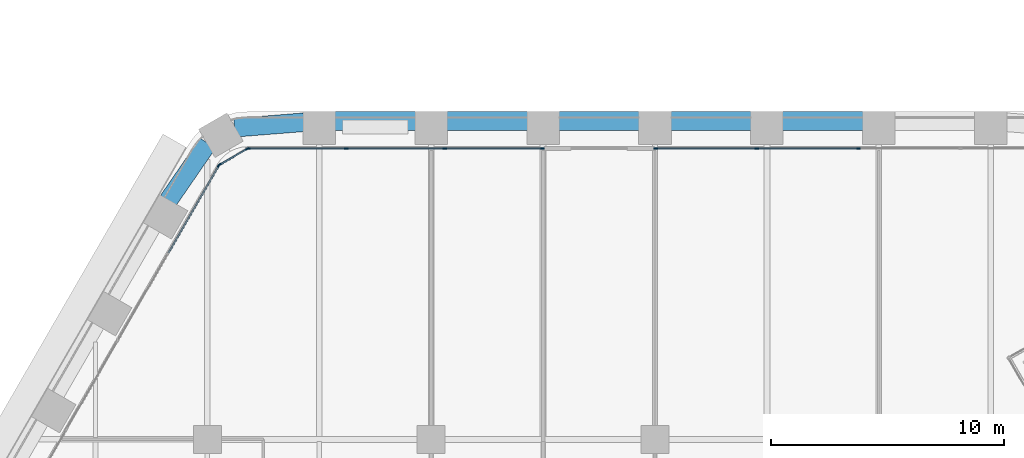
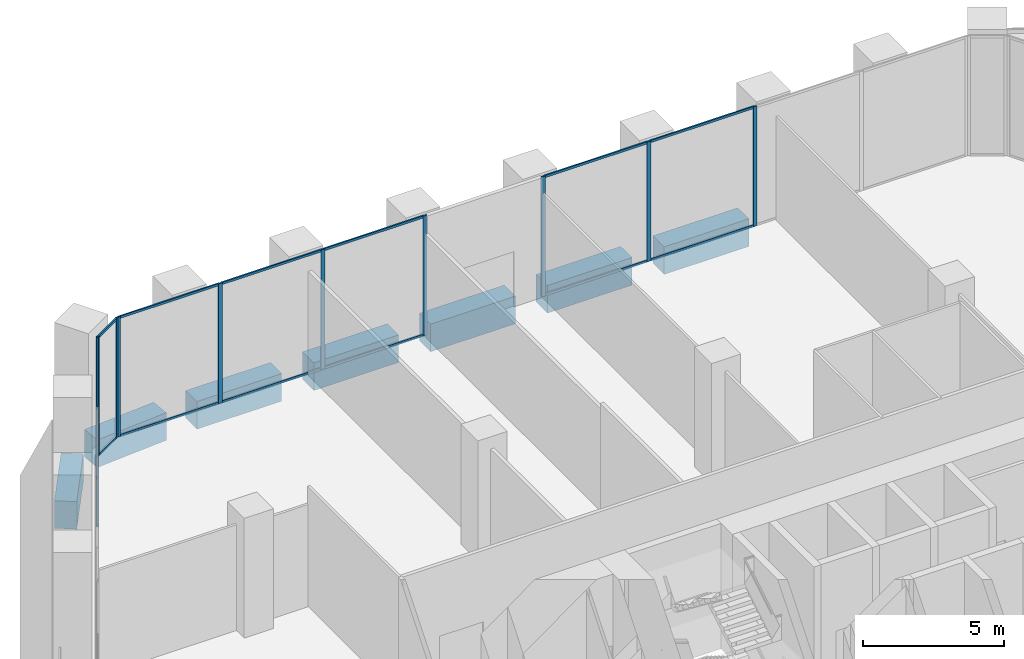
# One storey, part 15 of 32: 24 members, 7 beams, 4 elements without a shape of their own.
"""IFC4 building model written with IfcOpenShell, lengths in metres."""

from ifc_helpers import new_model, si_unit, direction, frame, origin, origin_2d, place, context, subcontext, project, spatial, rectangle, extrude, material, material_profile, profile_set, type_object, element, aggregate, save


model = new_model("IFC4")

# Units and contexts
model_context = context("Model", 3, precision=1e-05, world=origin(), true_north=direction((0.0, 1.0)))
body_context = subcontext(model_context, "Body", "Model", "MODEL_VIEW")
ifc_project = project(units=[si_unit("LENGTHUNIT", "METRE"), si_unit("AREAUNIT", "SQUARE_METRE"), si_unit("VOLUMEUNIT", "CUBIC_METRE"), si_unit("PLANEANGLEUNIT", "RADIAN"), si_unit("MASSUNIT", "GRAM", prefix="KILO")], contexts=[model_context])

# Site, building, storey
site_placement = place(None, origin())
site = spatial("IfcSite", under=ifc_project, at=site_placement, CompositionType="ELEMENT")
building_placement = place(site_placement, origin())
building = spatial("IfcBuilding", under=site, at=building_placement, Name="Kolab Exchange Tower", CompositionType="ELEMENT")
storey_placement = place(building_placement, frame((0.0, 0.0, 60.89990234375)))
storey = spatial("IfcBuildingStorey", under=building, at=storey_placement, Name="L11", CompositionType="ELEMENT", Elevation=60.89990234375)

# Beams
ifc_material_1 = material(Name="Concrete C80/95", Category="concrete")
ifc_material_profile_1 = material_profile(ifc_material_1, rectangle(XDim=0.800048828125, YDim=1.199951171875, at=origin_2d()), Name="RC800X1200")
ifc_profile_set_1 = profile_set([ifc_material_profile_1], Name="Concrete C80/95")
beam_type = type_object("IfcBeamType", Name="SPANDREL BEAM 800X1200 C80/95", PredefinedType="BEAM", material=ifc_profile_set_1)
beam_1_placement = place(storey_placement, frame((-18.03515625, 32.5654296875, -0.849853515625), z_axis=(0.996833978278, 0.07951112973, 0.0), x_axis=(-0.07951112973, 0.996833978278, 0.0)))
element("IfcBeam", 1, at=beam_1_placement, inside=storey, type_object=beam_type, Name="beam/L11/sp/F1-01", PredefinedType="BEAM", context=body_context, shape_type="SweptSolid", body=[
    extrude(rectangle(XDim=0.800048828125, YDim=1.199951171875, at=origin_2d()), origin(), (0.0, 0.0, 1.0), 2.984619140625),
])
for number, where, z_axis, x_axis, name in (
    (2, (-13.739990234375, 32.85546875, -0.849853515625), (1.0, 0.0, 0.0), (0.0, 1.0, 0.0), "beam/L11/sp/F1-02"),
    (3, (-8.93994140625, 32.85546875, -0.849853515625), (1.0, 0.0, 0.0), (0.0, 1.0, 0.0), "beam/L11/sp/F1-03"),
    (4, (-4.139892578125, 32.85546875, -0.849853515625), (1.0, 0.0, 0.0), (0.0, 1.0, 0.0), "beam/L11/sp/F1-04"),
    (5, (0.659912109375, 32.85546875, -0.849853515625), (1.0, 0.0, 0.0), (0.0, 1.0, 0.0), "beam/L11/sp/F1-05"),
    (6, (5.4599609375, 32.85546875, -0.849853515625), (1.0, 0.0, 0.0), (0.0, 1.0, 0.0), "beam/L11/sp/F1-06"),
):
    element("IfcBeam", number, at=place(storey_placement, frame(where, z_axis=z_axis, x_axis=x_axis)), inside=storey, type_object=beam_type, Name=name, PredefinedType="BEAM", context=body_context, shape_type="SweptSolid", body=[
        extrude(rectangle(XDim=0.800048828125, YDim=1.199951171875, at=origin_2d()), origin(), (0.0, 0.0, 1.0), 3.47998046875),
    ])
beam_2_placement = place(storey_placement, frame((-20.8779296875, 29.44384765625, -0.849853515625), z_axis=(0.567247290755, 0.823547516013, 0.0), x_axis=(-0.823547516013, 0.567247290755, 0.0)))
element("IfcBeam", 7, at=beam_2_placement, inside=storey, type_object=beam_type, Name="beam/L11/sp/F6-08", PredefinedType="BEAM", context=body_context, shape_type="SweptSolid", body=[
    extrude(rectangle(XDim=0.800048828125, YDim=1.199951171875, at=origin_2d()), origin(), (0.0, 0.0, 1.0), 2.984375),
])

# Curtain wall, members
ifc_material_2 = material(Name="Aluminium EN AW-6063 T6", Category="aluminium")
curtain_wall_type = type_object("IfcCurtainWallType", Name="UNITISED LOW ZONE CURTAIN WALL", PredefinedType="NOTDEFINED", material=ifc_material_2)
curtain_wall_1_placement = place(storey_placement, origin())
curtain_wall_1 = element("IfcCurtainWall", 8, at=curtain_wall_1_placement, inside=storey, type_object=curtain_wall_type, Name="cw/L11/F1-1", PredefinedType="NOTDEFINED")
ifc_material_profile_2 = material_profile(ifc_material_2, rectangle(XDim=0.06005859375, YDim=0.159912109375, at=origin_2d()), Name="RECT 60X160")
ifc_profile_set_2 = profile_set([ifc_material_profile_2], Name="Aluminium EN AW-6063 T6")
member_type_1 = type_object("IfcMemberType", Name="UNITISED LOW ZONE MULLION 60 X 160", PredefinedType="MULLION", material=ifc_profile_set_2)
member_1_placement = place(storey_placement, frame((-17.43798828125, 31.67529296875, 0.0), z_axis=(0.0, 0.0, 1.0), x_axis=(0.0, 1.0, 0.0)))
member_1 = element("IfcMember", 9, at=member_1_placement, type_object=member_type_1, Name="CW1 mullion 1", PredefinedType="MULLION", context=body_context, shape_type="SweptSolid", body=[
    extrude(rectangle(XDim=0.06005859375, YDim=0.159912109375, at=origin_2d()), origin(), (0.0, 0.0, 1.0), 5.2001953125),
])
member_2_placement = place(storey_placement, frame((-13.245361328125, 31.67529296875, 0.0), z_axis=(0.0, 0.0, 1.0), x_axis=(0.0, 1.0, 0.0)))
member_2 = element("IfcMember", 10, at=member_2_placement, type_object=member_type_1, Name="CW1 mullion 2", PredefinedType="MULLION", context=body_context, shape_type="SweptSolid", body=[
    extrude(rectangle(XDim=0.06005859375, YDim=0.159912109375, at=origin_2d()), origin(), (0.0, 0.0, 1.0), 5.2001953125),
])
member_3_placement = place(storey_placement, frame((-9.022705078125, 31.67529296875, 0.0), z_axis=(0.0, 0.0, 1.0), x_axis=(0.0, 1.0, 0.0)))
member_3 = element("IfcMember", 11, at=member_3_placement, type_object=member_type_1, Name="CW1 mullion 3", PredefinedType="MULLION", context=body_context, shape_type="SweptSolid", body=[
    extrude(rectangle(XDim=0.06005859375, YDim=0.159912109375, at=origin_2d()), origin(), (0.0, 0.0, 1.0), 5.2001953125),
])
member_4_placement = place(storey_placement, frame((-4.830078125, 31.67529296875, 0.0), z_axis=(0.0, 0.0, 1.0), x_axis=(0.0, 1.0, 0.0)))
member_4 = element("IfcMember", 12, at=member_4_placement, type_object=member_type_1, Name="CW1 mullion 4", PredefinedType="MULLION", context=body_context, shape_type="SweptSolid", body=[
    extrude(rectangle(XDim=0.06005859375, YDim=0.159912109375, at=origin_2d()), origin(), (0.0, 0.0, 1.0), 5.2001953125),
])

curtain_wall_2_placement = place(storey_placement, origin())
curtain_wall_2 = element("IfcCurtainWall", 13, at=curtain_wall_2_placement, inside=storey, type_object=curtain_wall_type, Name="cw/L11/F1-2", PredefinedType="NOTDEFINED")
member_5_placement = place(storey_placement, frame((0.030029296875, 31.67529296875, 0.0), z_axis=(0.0, 0.0, 1.0), x_axis=(0.0, 1.0, 0.0)))
member_5 = element("IfcMember", 14, at=member_5_placement, type_object=member_type_1, Name="CW1 mullion 1", PredefinedType="MULLION", context=body_context, shape_type="SweptSolid", body=[
    extrude(rectangle(XDim=0.06005859375, YDim=0.159912109375, at=origin_2d()), origin(), (0.0, 0.0, 1.0), 5.2001953125),
])
member_6_placement = place(storey_placement, frame((4.366943359375, 31.67529296875, 0.0), z_axis=(0.0, 0.0, 1.0), x_axis=(0.0, 1.0, 0.0)))
member_6 = element("IfcMember", 15, at=member_6_placement, type_object=member_type_1, Name="CW1 mullion 2", PredefinedType="MULLION", context=body_context, shape_type="SweptSolid", body=[
    extrude(rectangle(XDim=0.06005859375, YDim=0.159912109375, at=origin_2d()), origin(), (0.0, 0.0, 1.0), 5.2001953125),
])
member_7_placement = place(storey_placement, frame((8.73388671875, 31.67529296875, 0.0), z_axis=(0.0, 0.0, 1.0), x_axis=(0.0, 1.0, 0.0)))
member_7 = element("IfcMember", 16, at=member_7_placement, type_object=member_type_1, Name="CW1 mullion 3", PredefinedType="MULLION", context=body_context, shape_type="SweptSolid", body=[
    extrude(rectangle(XDim=0.06005859375, YDim=0.159912109375, at=origin_2d()), origin(), (0.0, 0.0, 1.0), 5.2001953125),
])

# Curtain wall, member
curtain_wall_3_placement = place(storey_placement, origin())
curtain_wall_3 = element("IfcCurtainWall", 17, at=curtain_wall_3_placement, inside=storey, type_object=curtain_wall_type, Name="cw/L11/F6-2", PredefinedType="NOTDEFINED")
member_8_placement = place(storey_placement, frame((-18.712646484375, 30.939453125, 0.0), z_axis=(0.0, 0.0, 1.0), x_axis=(-0.866025397318, 0.5000000112, 0.0)))
member_8 = element("IfcMember", 18, at=member_8_placement, type_object=member_type_1, Name="CW1 mullion 5", PredefinedType="MULLION", context=body_context, shape_type="SweptSolid", body=[
    extrude(rectangle(XDim=0.06005859375, YDim=0.159912109375, at=origin_2d()), origin(), (0.0, 0.0, 1.0), 5.2001953125),
])

# Curtain wall, members
curtain_wall_4_placement = place(storey_placement, origin())
curtain_wall_4 = element("IfcCurtainWall", 19, at=curtain_wall_4_placement, inside=storey, type_object=curtain_wall_type, Name="cw/L11/F6F1-corner", PredefinedType="NOTDEFINED")
member_9_placement = place(storey_placement, frame((-18.671630859375, 30.98046875, 0.0), z_axis=(0.0, 0.0, 1.0), x_axis=(-0.50000002237, 0.866025390869, 0.0)))
member_9 = element("IfcMember", 20, at=member_9_placement, type_object=member_type_1, Name="CW1 mullion 1", PredefinedType="MULLION", context=body_context, shape_type="SweptSolid", body=[
    extrude(rectangle(XDim=0.06005859375, YDim=0.159912109375, at=origin_2d()), origin(), (0.0, 0.0, 1.0), 5.2001953125),
])
member_10_placement = place(storey_placement, frame((-17.493896484375, 31.660400390625, 0.0), z_axis=(0.0, 0.0, 1.0), x_axis=(-0.50000002237, 0.866025390869, 0.0)))
member_10 = element("IfcMember", 21, at=member_10_placement, type_object=member_type_1, Name="CW1 mullion 2", PredefinedType="MULLION", context=body_context, shape_type="SweptSolid", body=[
    extrude(rectangle(XDim=0.06005859375, YDim=0.159912109375, at=origin_2d()), origin(), (0.0, 0.0, 1.0), 5.2001953125),
])

# Member
ifc_material_profile_3 = material_profile(ifc_material_2, rectangle(XDim=0.06005859375, YDim=0.10009765625, at=origin_2d()), Name="RECT 60X100")
ifc_profile_set_3 = profile_set([ifc_material_profile_3], Name="Aluminium EN AW-6063 T6")
member_type_2 = type_object("IfcMemberType", Name="UNITISED LOW ZONE TRANSOM 60 X 100", PredefinedType="USERDEFINED", material=ifc_profile_set_3)
member_11_placement = place(storey_placement, frame((-17.407958984375, 31.67529296875, 0.030029296875), z_axis=(1.0, 0.0, 0.0), x_axis=(0.0, 1.0, 0.0)))
member_11 = element("IfcMember", 22, at=member_11_placement, type_object=member_type_2, Name="CW1 transom 1.1", ObjectType="TRANSOM", PredefinedType="USERDEFINED", context=body_context, shape_type="SweptSolid", body=[
    extrude(rectangle(XDim=0.06005859375, YDim=0.10009765625, at=origin_2d()), origin(), (0.0, 0.0, 1.0), 4.132568359375),
])

member_12_placement = place(storey_placement, frame((-17.407958984375, 31.67529296875, 5.170166015625), z_axis=(1.0, 0.0, 0.0), x_axis=(0.0, 1.0, 0.0)))
member_12 = element("IfcMember", 23, at=member_12_placement, type_object=member_type_2, Name="CW1 transom 1.2", ObjectType="TRANSOM", PredefinedType="USERDEFINED", context=body_context, shape_type="SweptSolid", body=[
    extrude(rectangle(XDim=0.06005859375, YDim=0.10009765625, at=origin_2d()), origin(), (0.0, 0.0, 1.0), 4.132568359375),
])

member_13_placement = place(storey_placement, frame((-13.21533203125, 31.67529296875, 0.030029296875), z_axis=(1.0, 0.0, 0.0), x_axis=(0.0, 1.0, 0.0)))
member_13 = element("IfcMember", 24, at=member_13_placement, type_object=member_type_2, Name="CW1 transom 2.1", ObjectType="TRANSOM", PredefinedType="USERDEFINED", context=body_context, shape_type="SweptSolid", body=[
    extrude(rectangle(XDim=0.06005859375, YDim=0.10009765625, at=origin_2d()), origin(), (0.0, 0.0, 1.0), 4.16259765625),
])

member_14_placement = place(storey_placement, frame((-13.21533203125, 31.67529296875, 5.170166015625), z_axis=(1.0, 0.0, 0.0), x_axis=(0.0, 1.0, 0.0)))
member_14 = element("IfcMember", 25, at=member_14_placement, type_object=member_type_2, Name="CW1 transom 2.2", ObjectType="TRANSOM", PredefinedType="USERDEFINED", context=body_context, shape_type="SweptSolid", body=[
    extrude(rectangle(XDim=0.06005859375, YDim=0.10009765625, at=origin_2d()), origin(), (0.0, 0.0, 1.0), 4.16259765625),
])

member_15_placement = place(storey_placement, frame((-8.99267578125, 31.67529296875, 0.030029296875), z_axis=(1.0, 0.0, 0.0), x_axis=(0.0, 1.0, 0.0)))
member_15 = element("IfcMember", 26, at=member_15_placement, type_object=member_type_2, Name="CW1 transom 3.1", ObjectType="TRANSOM", PredefinedType="USERDEFINED", context=body_context, shape_type="SweptSolid", body=[
    extrude(rectangle(XDim=0.06005859375, YDim=0.10009765625, at=origin_2d()), origin(), (0.0, 0.0, 1.0), 4.132568359375),
])

member_16_placement = place(storey_placement, frame((-8.99267578125, 31.67529296875, 5.170166015625), z_axis=(1.0, 0.0, 0.0), x_axis=(0.0, 1.0, 0.0)))
member_16 = element("IfcMember", 27, at=member_16_placement, type_object=member_type_2, Name="CW1 transom 3.2", ObjectType="TRANSOM", PredefinedType="USERDEFINED", context=body_context, shape_type="SweptSolid", body=[
    extrude(rectangle(XDim=0.06005859375, YDim=0.10009765625, at=origin_2d()), origin(), (0.0, 0.0, 1.0), 4.132568359375),
])

aggregate(curtain_wall_1, [member_1, member_2, member_3, member_4, member_11, member_12, member_13, member_14, member_15, member_16])

member_17_placement = place(storey_placement, frame((0.06005859375, 31.67529296875, 0.030029296875), z_axis=(1.0, 0.0, 0.0), x_axis=(0.0, 1.0, 0.0)))
member_17 = element("IfcMember", 28, at=member_17_placement, type_object=member_type_2, Name="CW1 transom 1.1", ObjectType="TRANSOM", PredefinedType="USERDEFINED", context=body_context, shape_type="SweptSolid", body=[
    extrude(rectangle(XDim=0.06005859375, YDim=0.10009765625, at=origin_2d()), origin(), (0.0, 0.0, 1.0), 4.27685546875),
])

member_18_placement = place(storey_placement, frame((0.06005859375, 31.67529296875, 5.170166015625), z_axis=(1.0, 0.0, 0.0), x_axis=(0.0, 1.0, 0.0)))
member_18 = element("IfcMember", 29, at=member_18_placement, type_object=member_type_2, Name="CW1 transom 1.2", ObjectType="TRANSOM", PredefinedType="USERDEFINED", context=body_context, shape_type="SweptSolid", body=[
    extrude(rectangle(XDim=0.06005859375, YDim=0.10009765625, at=origin_2d()), origin(), (0.0, 0.0, 1.0), 4.27685546875),
])

member_19_placement = place(storey_placement, frame((4.39697265625, 31.67529296875, 0.030029296875), z_axis=(1.0, 0.0, 0.0), x_axis=(0.0, 1.0, 0.0)))
member_19 = element("IfcMember", 30, at=member_19_placement, type_object=member_type_2, Name="CW1 transom 2.1", ObjectType="TRANSOM", PredefinedType="USERDEFINED", context=body_context, shape_type="SweptSolid", body=[
    extrude(rectangle(XDim=0.06005859375, YDim=0.10009765625, at=origin_2d()), origin(), (0.0, 0.0, 1.0), 4.306884765625),
])

member_20_placement = place(storey_placement, frame((4.39697265625, 31.67529296875, 5.170166015625), z_axis=(1.0, 0.0, 0.0), x_axis=(0.0, 1.0, 0.0)))
member_20 = element("IfcMember", 31, at=member_20_placement, type_object=member_type_2, Name="CW1 transom 2.2", ObjectType="TRANSOM", PredefinedType="USERDEFINED", context=body_context, shape_type="SweptSolid", body=[
    extrude(rectangle(XDim=0.06005859375, YDim=0.10009765625, at=origin_2d()), origin(), (0.0, 0.0, 1.0), 4.306884765625),
])

aggregate(curtain_wall_2, [member_5, member_6, member_7, member_17, member_18, member_19, member_20])

member_21_placement = place(storey_placement, frame((-20.8662109375, 27.20947265625, 0.030029296875), z_axis=(0.500000816281, 0.866024932504, 0.0), x_axis=(-0.866024932504, 0.500000816281, 0.0)))
member_21 = element("IfcMember", 32, at=member_21_placement, type_object=member_type_2, Name="CW1 transom 4.1", ObjectType="TRANSOM", PredefinedType="USERDEFINED", context=body_context, shape_type="SweptSolid", body=[
    extrude(rectangle(XDim=0.06005859375, YDim=0.10009765625, at=origin_2d()), origin(), (0.0, 0.0, 1.0), 4.27685546875),
])

member_22_placement = place(storey_placement, frame((-20.8662109375, 27.20947265625, 5.170166015625), z_axis=(0.500000816281, 0.866024932504, 0.0), x_axis=(-0.866024932504, 0.500000816281, 0.0)))
member_22 = element("IfcMember", 33, at=member_22_placement, type_object=member_type_2, Name="CW1 transom 4.2", ObjectType="TRANSOM", PredefinedType="USERDEFINED", context=body_context, shape_type="SweptSolid", body=[
    extrude(rectangle(XDim=0.06005859375, YDim=0.10009765625, at=origin_2d()), origin(), (0.0, 0.0, 1.0), 4.27685546875),
])

aggregate(curtain_wall_3, [member_8, member_21, member_22])

member_23_placement = place(storey_placement, frame((-18.645751953125, 30.995361328125, 0.030029296875), z_axis=(0.86603858612, 0.49997716683, 0.0), x_axis=(-0.49997716683, 0.86603858612, 0.0)))
member_23 = element("IfcMember", 34, at=member_23_placement, type_object=member_type_2, Name="CW1 transom 1.1", ObjectType="TRANSOM", PredefinedType="USERDEFINED", context=body_context, shape_type="SweptSolid", body=[
    extrude(rectangle(XDim=0.06005859375, YDim=0.10009765625, at=origin_2d()), origin(), (0.0, 0.0, 1.0), 1.2998046875),
])

member_24_placement = place(storey_placement, frame((-18.645751953125, 30.995361328125, 5.170166015625), z_axis=(0.86603858612, 0.49997716683, 0.0), x_axis=(-0.49997716683, 0.86603858612, 0.0)))
member_24 = element("IfcMember", 35, at=member_24_placement, type_object=member_type_2, Name="CW1 transom 1.2", ObjectType="TRANSOM", PredefinedType="USERDEFINED", context=body_context, shape_type="SweptSolid", body=[
    extrude(rectangle(XDim=0.06005859375, YDim=0.10009765625, at=origin_2d()), origin(), (0.0, 0.0, 1.0), 1.2998046875),
])

aggregate(curtain_wall_4, [member_9, member_10, member_23, member_24])

save(model, "model.ifc")
